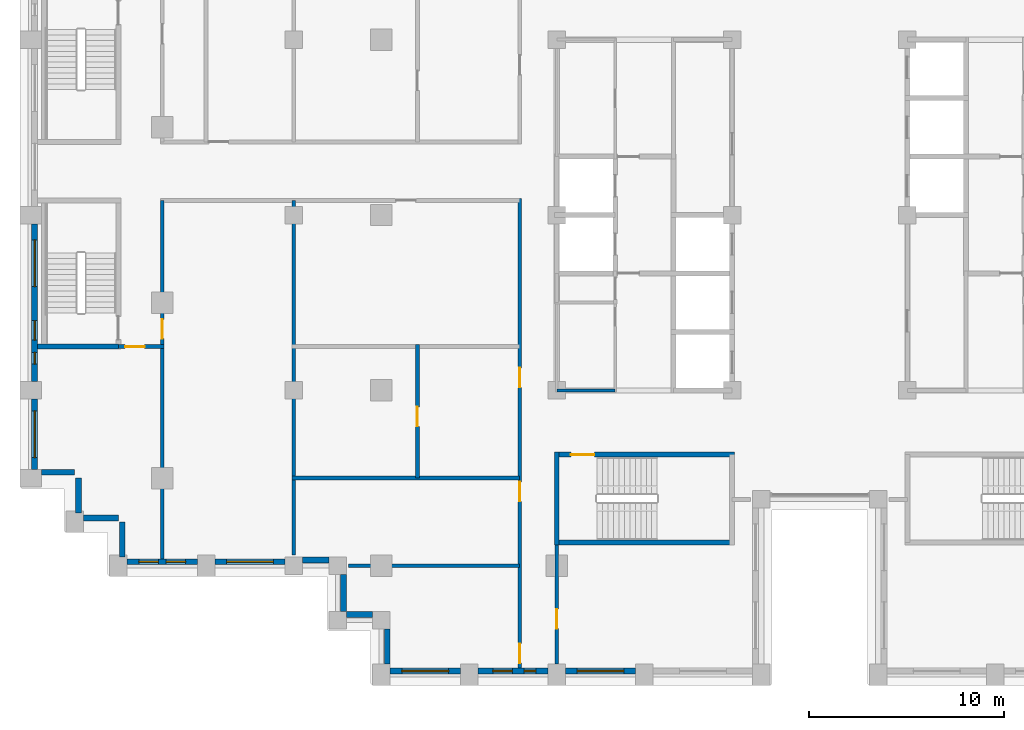
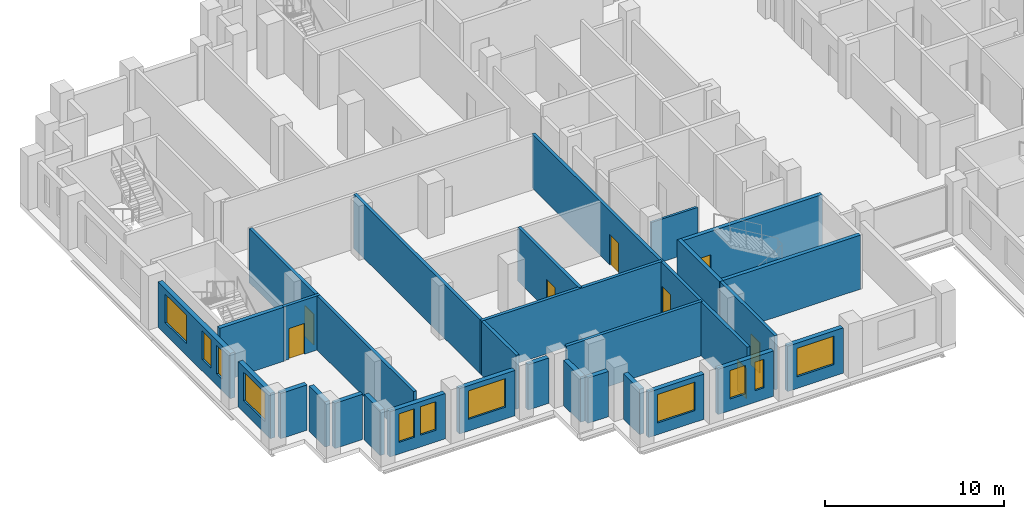
# One storey, part 6 of 15: 28 walls, 11 windows, 8 doors, 19 openings.
"""IFC4 building model written with IfcOpenShell, lengths in metres."""

from ifc_helpers import new_model, si_unit, direction, frame, frame_2d, origin, place, context, subcontext, project, spatial, rectangle, extrude, material, layer, layer_set, type_object, element, fill, save


model = new_model("IFC4")

# Units and contexts
model_context = context("Model", 3, precision=1e-05, world=origin(), true_north=direction((0.0, 1.0)))
body_context = subcontext(model_context, "Body", "Model", "MODEL_VIEW")
ifc_project = project(units=[si_unit("LENGTHUNIT", "METRE"), si_unit("AREAUNIT", "SQUARE_METRE"), si_unit("VOLUMEUNIT", "CUBIC_METRE"), si_unit("PLANEANGLEUNIT", "RADIAN"), si_unit("MASSUNIT", "GRAM", prefix="KILO")], contexts=[model_context])

# Site, building, storey
site_placement = place(None, origin())
site = spatial("IfcSite", under=ifc_project, at=site_placement, CompositionType="ELEMENT")
building_placement = place(site_placement, origin())
building = spatial("IfcBuilding", under=site, at=building_placement, Name="Corbelhall Arena Tower", CompositionType="ELEMENT")
storey_placement = place(building_placement, frame((0.0, 0.0, 162.0)))
storey = spatial("IfcBuildingStorey", under=building, at=storey_placement, Name="L32", CompositionType="ELEMENT", Elevation=162.0)

# Walls
ifc_material_1 = material(Name="Precast concrete C40/50 with granite facing", Category="masonry")
ifc_layer_1 = layer(ifc_material_1, 0.300048828125)
ifc_layer_set_1 = layer_set([ifc_layer_1], Name="EV-IW1 Infill panel 300")
wall_type_1 = type_object("IfcWallType", Name="EV-IW1 Infill panel 300", PredefinedType="SOLIDWALL", material=ifc_layer_set_1)
wall_1_placement = place(storey_placement, frame((-39.949951171875, -13.199951171875, 0.0), z_axis=(0.0, 0.0, 1.0), x_axis=(1.0, 0.0, 0.0)))
element("IfcWall", 1, at=wall_1_placement, inside=storey, type_object=wall_type_1, Name="Infill panel IW1", PredefinedType="SOLIDWALL", context=body_context, shape_type="SweptSolid", body=[
    extrude(rectangle(XDim=1.699951171875, YDim=0.300048828125, at=frame_2d((0.85009765625, 0.0))), origin(), (0.0, 0.0, 1.0), 3.10009765625),
])
for number, where, z_axis, x_axis, name in (
    (2, (-38.050048828125, -15.300048828125, 0.0), (0.0, 0.0, 1.0), (0.0, 1.0, 0.0), "Infill panel IW1"),
    (3, (-37.800048828125, -15.550048828125, 0.0), (0.0, 0.0, 1.0), (1.0, 0.0, 0.0), "Infill panel IW1"),
    (4, (-35.800048828125, -17.550048828125, 0.0), (0.0, 0.0, 1.0), (0.0, 1.0, 0.0), "Infill panel IW1"),
):
    element("IfcWall", number, at=place(storey_placement, frame(where, z_axis=z_axis, x_axis=x_axis)), inside=storey, type_object=wall_type_1, Name=name, PredefinedType="SOLIDWALL", context=body_context, shape_type="SweptSolid", body=[
        extrude(rectangle(XDim=1.800048828125, YDim=0.300048828125, at=frame_2d((0.89990234375, 0.0))), origin(), (0.0, 0.0, 1.0), 3.10009765625),
    ])

# Wall, openings, windows
wall_2_placement = place(storey_placement, frame((-40.300048828125, -0.449951171875, 0.0), z_axis=(0.0, 0.0, 1.0), x_axis=(0.0, -1.0, 0.0)))
wall_2 = element("IfcWall", 5, at=wall_2_placement, inside=storey, type_object=wall_type_1, Name="Infill panel IW1", PredefinedType="SOLIDWALL", context=body_context, shape_type="SweptSolid", body=[
    extrude(rectangle(XDim=8.10009765625, YDim=0.300048828125, at=frame_2d((4.050048828125, 0.0))), origin(), (0.0, 0.0, 1.0), 3.10009765625),
])
opening_1_placement = place(wall_2_placement, frame((0.824951171875, 0.0, 0.800048828125)))
opening_1 = element("IfcOpeningElement", 6, at=opening_1_placement, cuts=wall_2, Name="Opening WN1", PredefinedType="OPENING", context=body_context, shape_type="SweptSolid", body=[
    extrude(rectangle(XDim=2.39990234375, YDim=1.949951171875, at=frame_2d((1.199951171875, 0.97509765625))), frame((0.0, 0.14990234375, 0.0), z_axis=(0.0, -1.0, 0.0), x_axis=(1.0, 0.0, 0.0)), (0.0, 0.0, 1.0), 0.300048828125),
])
opening_2_placement = place(wall_2_placement, frame((4.97509765625, 0.0, 0.800048828125)))
opening_2 = element("IfcOpeningElement", 7, at=opening_2_placement, cuts=wall_2, Name="Opening WN6", PredefinedType="OPENING", context=body_context, shape_type="SweptSolid", body=[
    extrude(rectangle(XDim=1.0, YDim=1.949951171875, at=frame_2d((0.5, 0.97509765625))), frame((0.0, 0.14990234375, 0.0), z_axis=(0.0, -1.0, 0.0), x_axis=(1.0, 0.0, 0.0)), (0.0, 0.0, 1.0), 0.300048828125),
])
opening_3_placement = place(wall_2_placement, frame((6.60009765625, 0.0, 0.800048828125)))
opening_3 = element("IfcOpeningElement", 8, at=opening_3_placement, cuts=wall_2, Name="Opening WN5", PredefinedType="OPENING", context=body_context, shape_type="SweptSolid", body=[
    extrude(rectangle(XDim=0.60009765625, YDim=1.949951171875, at=frame_2d((0.300048828125, 0.97509765625))), frame((0.0, 0.14990234375, 0.0), z_axis=(0.0, -1.0, 0.0), x_axis=(1.0, 0.0, 0.0)), (0.0, 0.0, 1.0), 0.300048828125),
])
ifc_material_2 = material(Name="Aluminium black anodised", Category="aluminium")
window_type_1 = type_object("IfcWindowType", Name="EV-WN1 Office window", PartitioningType="SINGLE_PANEL", PredefinedType="WINDOW", material=ifc_material_2)
window_1_placement = place(opening_1_placement, origin())
window_1 = element("IfcWindow", 9, at=window_1_placement, inside=storey, type_object=window_type_1, Name="Window WN1", OverallHeight=1.949951171875, OverallWidth=2.39990234375, PartitioningType="SINGLE_PANEL", PredefinedType="WINDOW", context=body_context, shape_type="SweptSolid", body=[
    extrude(rectangle(XDim=2.39990234375, YDim=1.949951171875, at=frame_2d((1.199951171875, 0.97509765625))), frame((0.0, 0.030029296875, 0.0), z_axis=(0.0, -1.0, 0.0), x_axis=(1.0, 0.0, 0.0)), (0.0, 0.0, 1.0), 0.06005859375),
])
fill(opening_1, window_1)
window_type_2 = type_object("IfcWindowType", Name="EV-WN5 Office window 600", PartitioningType="SINGLE_PANEL", PredefinedType="WINDOW", material=ifc_material_2)
window_2_placement = place(opening_3_placement, origin())
window_2 = element("IfcWindow", 10, at=window_2_placement, inside=storey, type_object=window_type_2, Name="Window WN5", OverallHeight=1.949951171875, OverallWidth=0.60009765625, PartitioningType="SINGLE_PANEL", PredefinedType="WINDOW", context=body_context, shape_type="SweptSolid", body=[
    extrude(rectangle(XDim=0.60009765625, YDim=1.949951171875, at=frame_2d((0.300048828125, 0.97509765625))), frame((0.0, 0.030029296875, 0.0), z_axis=(0.0, -1.0, 0.0), x_axis=(1.0, 0.0, 0.0)), (0.0, 0.0, 1.0), 0.06005859375),
])
fill(opening_3, window_2)
window_type_3 = type_object("IfcWindowType", Name="EV-WN6 Office window 1000", PartitioningType="SINGLE_PANEL", PredefinedType="WINDOW", material=ifc_material_2)
window_3_placement = place(opening_2_placement, origin())
window_3 = element("IfcWindow", 11, at=window_3_placement, inside=storey, type_object=window_type_3, Name="Window WN6", OverallHeight=1.949951171875, OverallWidth=1.0, PartitioningType="SINGLE_PANEL", PredefinedType="WINDOW", context=body_context, shape_type="SweptSolid", body=[
    extrude(rectangle(XDim=1.0, YDim=1.949951171875, at=frame_2d((0.5, 0.97509765625))), frame((0.0, 0.030029296875, 0.0), z_axis=(0.0, -1.0, 0.0), x_axis=(1.0, 0.0, 0.0)), (0.0, 0.0, 1.0), 0.06005859375),
])
fill(opening_2, window_3)

# Wall, opening, window
wall_3_placement = place(storey_placement, frame((-40.300048828125, -9.449951171875, 0.0), z_axis=(0.0, 0.0, 1.0), x_axis=(0.0, -1.0, 0.0)))
wall_3 = element("IfcWall", 12, at=wall_3_placement, inside=storey, type_object=wall_type_1, Name="Infill panel IW1", PredefinedType="SOLIDWALL", context=body_context, shape_type="SweptSolid", body=[
    extrude(rectangle(XDim=3.60009765625, YDim=0.300048828125, at=frame_2d((1.800048828125, 0.0))), origin(), (0.0, 0.0, 1.0), 3.10009765625),
])
opening_4_placement = place(wall_3_placement, frame((0.60009765625, 0.0, 0.800048828125)))
opening_4 = element("IfcOpeningElement", 13, at=opening_4_placement, cuts=wall_3, Name="Opening WN1", PredefinedType="OPENING", context=body_context, shape_type="SweptSolid", body=[
    extrude(rectangle(XDim=2.39990234375, YDim=1.949951171875, at=frame_2d((1.199951171875, 0.97509765625))), frame((0.0, 0.14990234375, 0.0), z_axis=(0.0, -1.0, 0.0), x_axis=(1.0, 0.0, 0.0)), (0.0, 0.0, 1.0), 0.300048828125),
])
window_4_placement = place(opening_4_placement, origin())
window_4 = element("IfcWindow", 14, at=window_4_placement, inside=storey, type_object=window_type_1, Name="Window WN1", OverallHeight=1.949951171875, OverallWidth=2.39990234375, PartitioningType="SINGLE_PANEL", PredefinedType="WINDOW", context=body_context, shape_type="SweptSolid", body=[
    extrude(rectangle(XDim=2.39990234375, YDim=1.949951171875, at=frame_2d((1.199951171875, 0.97509765625))), frame((0.0, 0.030029296875, 0.0), z_axis=(0.0, -1.0, 0.0), x_axis=(1.0, 0.0, 0.0)), (0.0, 0.0, 1.0), 0.06005859375),
])
fill(opening_4, window_4)

# Wall, openings, windows
wall_4_placement = place(storey_placement, frame((-35.550048828125, -17.800048828125, 0.0), z_axis=(0.0, 0.0, 1.0), x_axis=(1.0, 0.0, 0.0)))
wall_4 = element("IfcWall", 15, at=wall_4_placement, inside=storey, type_object=wall_type_1, Name="Infill panel IW1", PredefinedType="SOLIDWALL", context=body_context, shape_type="SweptSolid", body=[
    extrude(rectangle(XDim=3.60009765625, YDim=0.300048828125, at=frame_2d((1.800048828125, 0.0))), origin(), (0.0, 0.0, 1.0), 3.10009765625),
])
opening_5_placement = place(wall_4_placement, frame((0.60009765625, 0.0, 0.800048828125)))
opening_5 = element("IfcOpeningElement", 16, at=opening_5_placement, cuts=wall_4, Name="Opening WN6", PredefinedType="OPENING", context=body_context, shape_type="SweptSolid", body=[
    extrude(rectangle(XDim=1.0, YDim=1.949951171875, at=frame_2d((0.5, 0.97509765625))), frame((0.0, 0.14990234375, 0.0), z_axis=(0.0, -1.0, 0.0), x_axis=(1.0, 0.0, 0.0)), (0.0, 0.0, 1.0), 0.300048828125),
])
opening_6_placement = place(wall_4_placement, frame((2.0, 0.0, 0.800048828125)))
opening_6 = element("IfcOpeningElement", 17, at=opening_6_placement, cuts=wall_4, Name="Opening WN6", PredefinedType="OPENING", context=body_context, shape_type="SweptSolid", body=[
    extrude(rectangle(XDim=1.0, YDim=1.949951171875, at=frame_2d((0.5, 0.97509765625))), frame((0.0, 0.14990234375, 0.0), z_axis=(0.0, -1.0, 0.0), x_axis=(1.0, 0.0, 0.0)), (0.0, 0.0, 1.0), 0.300048828125),
])
window_5_placement = place(opening_5_placement, origin())
window_5 = element("IfcWindow", 18, at=window_5_placement, inside=storey, type_object=window_type_3, Name="Window WN6", OverallHeight=1.949951171875, OverallWidth=1.0, PartitioningType="SINGLE_PANEL", PredefinedType="WINDOW", context=body_context, shape_type="SweptSolid", body=[
    extrude(rectangle(XDim=1.0, YDim=1.949951171875, at=frame_2d((0.5, 0.97509765625))), frame((0.0, 0.030029296875, 0.0), z_axis=(0.0, -1.0, 0.0), x_axis=(1.0, 0.0, 0.0)), (0.0, 0.0, 1.0), 0.06005859375),
])
fill(opening_5, window_5)
window_6_placement = place(opening_6_placement, origin())
window_6 = element("IfcWindow", 19, at=window_6_placement, inside=storey, type_object=window_type_3, Name="Window WN6", OverallHeight=1.949951171875, OverallWidth=1.0, PartitioningType="SINGLE_PANEL", PredefinedType="WINDOW", context=body_context, shape_type="SweptSolid", body=[
    extrude(rectangle(XDim=1.0, YDim=1.949951171875, at=frame_2d((0.5, 0.97509765625))), frame((0.0, 0.030029296875, 0.0), z_axis=(0.0, -1.0, 0.0), x_axis=(1.0, 0.0, 0.0)), (0.0, 0.0, 1.0), 0.06005859375),
])
fill(opening_6, window_6)

# Wall, opening, window
wall_5_placement = place(storey_placement, frame((-31.050048828125, -17.800048828125, 0.0), z_axis=(0.0, 0.0, 1.0), x_axis=(1.0, 0.0, 0.0)))
wall_5 = element("IfcWall", 20, at=wall_5_placement, inside=storey, type_object=wall_type_1, Name="Infill panel IW1", PredefinedType="SOLIDWALL", context=body_context, shape_type="SweptSolid", body=[
    extrude(rectangle(XDim=3.60009765625, YDim=0.300048828125, at=frame_2d((1.800048828125, 0.0))), origin(), (0.0, 0.0, 1.0), 3.10009765625),
])
opening_7_placement = place(wall_5_placement, frame((0.60009765625, 0.0, 0.800048828125)))
opening_7 = element("IfcOpeningElement", 21, at=opening_7_placement, cuts=wall_5, Name="Opening WN1", PredefinedType="OPENING", context=body_context, shape_type="SweptSolid", body=[
    extrude(rectangle(XDim=2.39990234375, YDim=1.949951171875, at=frame_2d((1.199951171875, 0.97509765625))), frame((0.0, 0.14990234375, 0.0), z_axis=(0.0, -1.0, 0.0), x_axis=(1.0, 0.0, 0.0)), (0.0, 0.0, 1.0), 0.300048828125),
])
window_7_placement = place(opening_7_placement, origin())
window_7 = element("IfcWindow", 22, at=window_7_placement, inside=storey, type_object=window_type_1, Name="Window WN1", OverallHeight=1.949951171875, OverallWidth=2.39990234375, PartitioningType="SINGLE_PANEL", PredefinedType="WINDOW", context=body_context, shape_type="SweptSolid", body=[
    extrude(rectangle(XDim=2.39990234375, YDim=1.949951171875, at=frame_2d((1.199951171875, 0.97509765625))), frame((0.0, 0.030029296875, 0.0), z_axis=(0.0, -1.0, 0.0), x_axis=(1.0, 0.0, 0.0)), (0.0, 0.0, 1.0), 0.06005859375),
])
fill(opening_7, window_7)

# Walls
wall_6_placement = place(storey_placement, frame((-26.550048828125, -17.699951171875, 0.0), z_axis=(0.0, 0.0, 1.0), x_axis=(1.0, 0.0, 0.0)))
element("IfcWall", 23, at=wall_6_placement, inside=storey, type_object=wall_type_1, Name="Infill panel IW1", PredefinedType="SOLIDWALL", context=body_context, shape_type="SweptSolid", body=[
    extrude(rectangle(XDim=1.35009765625, YDim=0.300048828125, at=frame_2d((0.675048828125, 0.0))), origin(), (0.0, 0.0, 1.0), 3.10009765625),
])
wall_7_placement = place(storey_placement, frame((-24.449951171875, -18.449951171875, 0.0), z_axis=(0.0, 0.0, 1.0), x_axis=(0.0, -1.0, 0.0)))
element("IfcWall", 24, at=wall_7_placement, inside=storey, type_object=wall_type_1, Name="Infill panel IW1", PredefinedType="SOLIDWALL", context=body_context, shape_type="SweptSolid", body=[
    extrude(rectangle(XDim=1.900146484375, YDim=0.300048828125, at=frame_2d((0.9501953125, 0.0))), origin(), (0.0, 0.0, 1.0), 3.10009765625),
])
wall_8_placement = place(storey_placement, frame((-24.300048828125, -20.5, 0.0), z_axis=(0.0, 0.0, 1.0), x_axis=(1.0, 0.0, 0.0)))
element("IfcWall", 25, at=wall_8_placement, inside=storey, type_object=wall_type_1, Name="Infill panel IW1", PredefinedType="SOLIDWALL", context=body_context, shape_type="SweptSolid", body=[
    extrude(rectangle(XDim=1.35009765625, YDim=0.300048828125, at=frame_2d((0.675048828125, 0.0))), origin(), (0.0, 0.0, 1.0), 3.10009765625),
])
wall_9_placement = place(storey_placement, frame((-22.199951171875, -21.25, 0.0), z_axis=(0.0, 0.0, 1.0), x_axis=(0.0, -1.0, 0.0)))
element("IfcWall", 26, at=wall_9_placement, inside=storey, type_object=wall_type_1, Name="Infill panel IW1", PredefinedType="SOLIDWALL", context=body_context, shape_type="SweptSolid", body=[
    extrude(rectangle(XDim=1.800048828125, YDim=0.300048828125, at=frame_2d((0.89990234375, 0.0))), origin(), (0.0, 0.0, 1.0), 3.10009765625),
])

# Wall, opening, window
wall_10_placement = place(storey_placement, frame((-22.050048828125, -23.39990234375, 0.0), z_axis=(0.0, 0.0, 1.0), x_axis=(1.0, 0.0, 0.0)))
wall_10 = element("IfcWall", 27, at=wall_10_placement, inside=storey, type_object=wall_type_1, Name="Infill panel IW1", PredefinedType="SOLIDWALL", context=body_context, shape_type="SweptSolid", body=[
    extrude(rectangle(XDim=3.60009765625, YDim=0.300048828125, at=frame_2d((1.800048828125, 0.0))), origin(), (0.0, 0.0, 1.0), 3.10009765625),
])
opening_8_placement = place(wall_10_placement, frame((0.60009765625, 0.0, 0.800048828125)))
opening_8 = element("IfcOpeningElement", 28, at=opening_8_placement, cuts=wall_10, Name="Opening WN1", PredefinedType="OPENING", context=body_context, shape_type="SweptSolid", body=[
    extrude(rectangle(XDim=2.39990234375, YDim=1.949951171875, at=frame_2d((1.199951171875, 0.97509765625))), frame((0.0, 0.14990234375, 0.0), z_axis=(0.0, -1.0, 0.0), x_axis=(1.0, 0.0, 0.0)), (0.0, 0.0, 1.0), 0.300048828125),
])
window_8_placement = place(opening_8_placement, origin())
window_8 = element("IfcWindow", 29, at=window_8_placement, inside=storey, type_object=window_type_1, Name="Window WN1", OverallHeight=1.949951171875, OverallWidth=2.39990234375, PartitioningType="SINGLE_PANEL", PredefinedType="WINDOW", context=body_context, shape_type="SweptSolid", body=[
    extrude(rectangle(XDim=2.39990234375, YDim=1.949951171875, at=frame_2d((1.199951171875, 0.97509765625))), frame((0.0, 0.030029296875, 0.0), z_axis=(0.0, -1.0, 0.0), x_axis=(1.0, 0.0, 0.0)), (0.0, 0.0, 1.0), 0.06005859375),
])
fill(opening_8, window_8)

# Wall, openings, windows
wall_11_placement = place(storey_placement, frame((-17.550048828125, -23.39990234375, 0.0), z_axis=(0.0, 0.0, 1.0), x_axis=(1.0, 0.0, 0.0)))
wall_11 = element("IfcWall", 30, at=wall_11_placement, inside=storey, type_object=wall_type_1, Name="Infill panel IW1", PredefinedType="SOLIDWALL", context=body_context, shape_type="SweptSolid", body=[
    extrude(rectangle(XDim=3.60009765625, YDim=0.300048828125, at=frame_2d((1.800048828125, 0.0))), origin(), (0.0, 0.0, 1.0), 3.10009765625),
])
opening_9_placement = place(wall_11_placement, frame((0.77490234375, 0.0, 0.800048828125)))
opening_9 = element("IfcOpeningElement", 31, at=opening_9_placement, cuts=wall_11, Name="Opening WN6", PredefinedType="OPENING", context=body_context, shape_type="SweptSolid", body=[
    extrude(rectangle(XDim=1.0, YDim=1.949951171875, at=frame_2d((0.5, 0.97509765625))), frame((0.0, 0.14990234375, 0.0), z_axis=(0.0, -1.0, 0.0), x_axis=(1.0, 0.0, 0.0)), (0.0, 0.0, 1.0), 0.300048828125),
])
opening_10_placement = place(wall_11_placement, frame((2.375, 0.0, 0.800048828125)))
opening_10 = element("IfcOpeningElement", 32, at=opening_10_placement, cuts=wall_11, Name="Opening WN5", PredefinedType="OPENING", context=body_context, shape_type="SweptSolid", body=[
    extrude(rectangle(XDim=0.60009765625, YDim=1.949951171875, at=frame_2d((0.300048828125, 0.97509765625))), frame((0.0, 0.14990234375, 0.0), z_axis=(0.0, -1.0, 0.0), x_axis=(1.0, 0.0, 0.0)), (0.0, 0.0, 1.0), 0.300048828125),
])
window_9_placement = place(opening_10_placement, origin())
window_9 = element("IfcWindow", 33, at=window_9_placement, inside=storey, type_object=window_type_2, Name="Window WN5", OverallHeight=1.949951171875, OverallWidth=0.60009765625, PartitioningType="SINGLE_PANEL", PredefinedType="WINDOW", context=body_context, shape_type="SweptSolid", body=[
    extrude(rectangle(XDim=0.60009765625, YDim=1.949951171875, at=frame_2d((0.300048828125, 0.97509765625))), frame((0.0, 0.030029296875, 0.0), z_axis=(0.0, -1.0, 0.0), x_axis=(1.0, 0.0, 0.0)), (0.0, 0.0, 1.0), 0.06005859375),
])
fill(opening_10, window_9)
window_10_placement = place(opening_9_placement, origin())
window_10 = element("IfcWindow", 34, at=window_10_placement, inside=storey, type_object=window_type_3, Name="Window WN6", OverallHeight=1.949951171875, OverallWidth=1.0, PartitioningType="SINGLE_PANEL", PredefinedType="WINDOW", context=body_context, shape_type="SweptSolid", body=[
    extrude(rectangle(XDim=1.0, YDim=1.949951171875, at=frame_2d((0.5, 0.97509765625))), frame((0.0, 0.030029296875, 0.0), z_axis=(0.0, -1.0, 0.0), x_axis=(1.0, 0.0, 0.0)), (0.0, 0.0, 1.0), 0.06005859375),
])
fill(opening_9, window_10)

# Wall, opening, window
wall_12_placement = place(storey_placement, frame((-13.050048828125, -23.39990234375, 0.0), z_axis=(0.0, 0.0, 1.0), x_axis=(1.0, 0.0, 0.0)))
wall_12 = element("IfcWall", 35, at=wall_12_placement, inside=storey, type_object=wall_type_1, Name="Infill panel IW1", PredefinedType="SOLIDWALL", context=body_context, shape_type="SweptSolid", body=[
    extrude(rectangle(XDim=3.60009765625, YDim=0.300048828125, at=frame_2d((1.800048828125, 0.0))), origin(), (0.0, 0.0, 1.0), 3.10009765625),
])
opening_11_placement = place(wall_12_placement, frame((0.60009765625, 0.0, 0.800048828125)))
opening_11 = element("IfcOpeningElement", 36, at=opening_11_placement, cuts=wall_12, Name="Opening WN1", PredefinedType="OPENING", context=body_context, shape_type="SweptSolid", body=[
    extrude(rectangle(XDim=2.39990234375, YDim=1.949951171875, at=frame_2d((1.199951171875, 0.97509765625))), frame((0.0, 0.14990234375, 0.0), z_axis=(0.0, -1.0, 0.0), x_axis=(1.0, 0.0, 0.0)), (0.0, 0.0, 1.0), 0.300048828125),
])
window_11_placement = place(opening_11_placement, origin())
window_11 = element("IfcWindow", 37, at=window_11_placement, inside=storey, type_object=window_type_1, Name="Window WN1", OverallHeight=1.949951171875, OverallWidth=2.39990234375, PartitioningType="SINGLE_PANEL", PredefinedType="WINDOW", context=body_context, shape_type="SweptSolid", body=[
    extrude(rectangle(XDim=2.39990234375, YDim=1.949951171875, at=frame_2d((1.199951171875, 0.97509765625))), frame((0.0, 0.030029296875, 0.0), z_axis=(0.0, -1.0, 0.0), x_axis=(1.0, 0.0, 0.0)), (0.0, 0.0, 1.0), 0.06005859375),
])
fill(opening_11, window_11)

# Wall, opening, door
ifc_material_3 = material(Name="Gypsum board on steel stud, acoustic", Category="steel")
ifc_layer_2 = layer(ifc_material_3, 0.199951171875)
ifc_layer_set_2 = layer_set([ifc_layer_2], Name="IN-W-DM200")
wall_type_2 = type_object("IfcWallType", Name="IN-W-DM200", PredefinedType="PARTITIONING", material=ifc_layer_set_2)
wall_13_placement = place(storey_placement, frame((-33.75, 0.75, 0.0), z_axis=(0.0, 0.0, 1.0), x_axis=(0.0, -1.0, 0.0)))
wall_13 = element("IfcWall", 38, at=wall_13_placement, inside=storey, type_object=wall_type_2, Name="Partition 003", PredefinedType="PARTITIONING", context=body_context, shape_type="SweptSolid", body=[
    extrude(rectangle(XDim=18.39990234375, YDim=0.199951171875, at=frame_2d((9.199951171875, 0.0))), origin(), (0.0, 0.0, 1.0), 3.699951171875),
])
opening_12_placement = place(wall_13_placement, frame((6.10009765625, 0.0, 0.0)))
opening_12 = element("IfcOpeningElement", 39, at=opening_12_placement, cuts=wall_13, Name="Opening 09042", PredefinedType="OPENING", context=body_context, shape_type="SweptSolid", body=[
    extrude(rectangle(XDim=1.0, YDim=2.10009765625, at=frame_2d((0.5, 1.050048828125))), frame((0.0, 0.10009765625, 0.0), z_axis=(0.0, -1.0, 0.0), x_axis=(1.0, 0.0, 0.0)), (0.0, 0.0, 1.0), 0.199951171875),
])
ifc_material_4 = material(Name="Steel door set", Category="steel")
door_type_1 = type_object("IfcDoorType", Name="IN-D-SW100", OperationType="NOTDEFINED", PredefinedType="DOOR", material=ifc_material_4)
door_1_placement = place(opening_12_placement, origin())
door_1 = element("IfcDoor", 40, at=door_1_placement, inside=storey, type_object=door_type_1, Name="Door 042", OperationType="SINGLE_SWING_LEFT", OverallHeight=2.10009765625, OverallWidth=1.0, PredefinedType="DOOR", context=body_context, shape_type="SweptSolid", body=[
    extrude(rectangle(XDim=1.0, YDim=2.10009765625, at=frame_2d((0.5, 1.050048828125))), frame((0.0, 0.02490234375, 0.0), z_axis=(0.0, -1.0, 0.0), x_axis=(1.0, 0.0, 0.0)), (0.0, 0.0, 1.0), 0.050048828125),
])
fill(opening_12, door_1)

wall_14_placement = place(storey_placement, frame((-33.64990234375, -6.75, 0.0), z_axis=(0.0, 0.0, 1.0), x_axis=(-1.0, 0.0, 0.0)))
wall_14 = element("IfcWall", 41, at=wall_14_placement, inside=storey, type_object=wall_type_2, Name="Partition 005", PredefinedType="PARTITIONING", context=body_context, shape_type="SweptSolid", body=[
    extrude(rectangle(XDim=2.35009765625, YDim=0.199951171875, at=frame_2d((1.175048828125, 0.0))), origin(), (0.0, 0.0, 1.0), 3.699951171875),
])
opening_13_placement = place(wall_14_placement, frame((1.0, 0.0, 0.0)))
opening_13 = element("IfcOpeningElement", 42, at=opening_13_placement, cuts=wall_14, Name="Opening 09041", PredefinedType="OPENING", context=body_context, shape_type="SweptSolid", body=[
    extrude(rectangle(XDim=1.0, YDim=2.10009765625, at=frame_2d((0.5, 1.050048828125))), frame((0.0, 0.10009765625, 0.0), z_axis=(0.0, -1.0, 0.0), x_axis=(1.0, 0.0, 0.0)), (0.0, 0.0, 1.0), 0.199951171875),
])
door_2_placement = place(opening_13_placement, origin())
door_2 = element("IfcDoor", 43, at=door_2_placement, inside=storey, type_object=door_type_1, Name="Door 041", OperationType="SINGLE_SWING_RIGHT", OverallHeight=2.10009765625, OverallWidth=1.0, PredefinedType="DOOR", context=body_context, shape_type="SweptSolid", body=[
    extrude(rectangle(XDim=1.0, YDim=2.10009765625, at=frame_2d((0.5, 1.050048828125))), frame((0.0, 0.02490234375, 0.0), z_axis=(0.0, -1.0, 0.0), x_axis=(1.0, 0.0, 0.0)), (0.0, 0.0, 1.0), 0.050048828125),
])
fill(opening_13, door_2)

# Walls
wall_15_placement = place(storey_placement, frame((-27.10009765625, -13.5, 0.0), z_axis=(0.0, 0.0, 1.0), x_axis=(1.0, 0.0, 0.0)))
element("IfcWall", 44, at=wall_15_placement, inside=storey, type_object=wall_type_2, Name="Partition 007", PredefinedType="PARTITIONING", context=body_context, shape_type="SweptSolid", body=[
    extrude(rectangle(XDim=11.7001953125, YDim=0.199951171875, at=frame_2d((5.85009765625, 0.0))), origin(), (0.0, 0.0, 1.0), 3.699951171875),
])
wall_16_placement = place(storey_placement, frame((-27.0, -17.449951171875, 0.0), z_axis=(0.0, 0.0, 1.0), x_axis=(0.0, 1.0, 0.0)))
element("IfcWall", 45, at=wall_16_placement, inside=storey, type_object=wall_type_2, Name="Partition 009", PredefinedType="PARTITIONING", context=body_context, shape_type="SweptSolid", body=[
    extrude(rectangle(XDim=18.199951171875, YDim=0.199951171875, at=frame_2d((9.10009765625, 0.0))), origin(), (0.0, 0.0, 1.0), 3.699951171875),
])
wall_17_placement = place(storey_placement, frame((-24.199951171875, -18.0, 0.0), z_axis=(0.0, 0.0, 1.0), x_axis=(1.0, 0.0, 0.0)))
element("IfcWall", 46, at=wall_17_placement, inside=storey, type_object=wall_type_2, Name="Partition 012", PredefinedType="PARTITIONING", context=body_context, shape_type="SweptSolid", body=[
    extrude(rectangle(XDim=8.800048828125, YDim=0.199951171875, at=frame_2d((4.39990234375, 0.0))), origin(), (0.0, 0.0, 1.0), 3.699951171875),
])

# Wall, opening, door
wall_18_placement = place(storey_placement, frame((-20.64990234375, -13.5, 0.0), z_axis=(0.0, 0.0, 1.0), x_axis=(0.0, 1.0, 0.0)))
wall_18 = element("IfcWall", 47, at=wall_18_placement, inside=storey, type_object=wall_type_2, Name="Partition 015", PredefinedType="PARTITIONING", context=body_context, shape_type="SweptSolid", body=[
    extrude(rectangle(XDim=6.85009765625, YDim=0.199951171875, at=frame_2d((3.425048828125, 0.0))), origin(), (0.0, 0.0, 1.0), 3.699951171875),
])
opening_14_placement = place(wall_18_placement, frame((2.64990234375, 0.0, 0.0)))
opening_14 = element("IfcOpeningElement", 48, at=opening_14_placement, cuts=wall_18, Name="Opening 09029", PredefinedType="OPENING", context=body_context, shape_type="SweptSolid", body=[
    extrude(rectangle(XDim=1.0, YDim=2.10009765625, at=frame_2d((0.5, 1.050048828125))), frame((0.0, 0.10009765625, 0.0), z_axis=(0.0, -1.0, 0.0), x_axis=(1.0, 0.0, 0.0)), (0.0, 0.0, 1.0), 0.199951171875),
])
door_3_placement = place(opening_14_placement, origin())
door_3 = element("IfcDoor", 49, at=door_3_placement, inside=storey, type_object=door_type_1, Name="Door 029", OperationType="SINGLE_SWING_RIGHT", OverallHeight=2.10009765625, OverallWidth=1.0, PredefinedType="DOOR", context=body_context, shape_type="SweptSolid", body=[
    extrude(rectangle(XDim=1.0, YDim=2.10009765625, at=frame_2d((0.5, 1.050048828125))), frame((0.0, 0.02490234375, 0.0), z_axis=(0.0, -1.0, 0.0), x_axis=(1.0, 0.0, 0.0)), (0.0, 0.0, 1.0), 0.050048828125),
])
fill(opening_14, door_3)

# Wall, openings, doors
wall_19_placement = place(storey_placement, frame((-15.39990234375, -23.25, 0.0), z_axis=(0.0, 0.0, 1.0), x_axis=(0.0, 1.0, 0.0)))
wall_19 = element("IfcWall", 50, at=wall_19_placement, inside=storey, type_object=wall_type_2, Name="Partition 018", PredefinedType="PARTITIONING", context=body_context, shape_type="SweptSolid", body=[
    extrude(rectangle(XDim=24.10009765625, YDim=0.199951171875, at=frame_2d((12.050048828125, 0.0))), origin(), (0.0, 0.0, 1.0), 3.699951171875),
])
opening_15_placement = place(wall_19_placement, frame((0.25, 0.0, 0.0)))
opening_15 = element("IfcOpeningElement", 51, at=opening_15_placement, cuts=wall_19, Name="Opening 09026", PredefinedType="OPENING", context=body_context, shape_type="SweptSolid", body=[
    extrude(rectangle(XDim=1.0, YDim=2.10009765625, at=frame_2d((0.5, 1.050048828125))), frame((0.0, 0.10009765625, 0.0), z_axis=(0.0, -1.0, 0.0), x_axis=(1.0, 0.0, 0.0)), (0.0, 0.0, 1.0), 0.199951171875),
])
opening_16_placement = place(wall_19_placement, frame((8.550048828125, 0.0, 0.0)))
opening_16 = element("IfcOpeningElement", 52, at=opening_16_placement, cuts=wall_19, Name="Opening 09027", PredefinedType="OPENING", context=body_context, shape_type="SweptSolid", body=[
    extrude(rectangle(XDim=1.0, YDim=2.10009765625, at=frame_2d((0.5, 1.050048828125))), frame((0.0, 0.10009765625, 0.0), z_axis=(0.0, -1.0, 0.0), x_axis=(1.0, 0.0, 0.0)), (0.0, 0.0, 1.0), 0.199951171875),
])
opening_17_placement = place(wall_19_placement, frame((14.39990234375, 0.0, 0.0)))
opening_17 = element("IfcOpeningElement", 53, at=opening_17_placement, cuts=wall_19, Name="Opening 09028", PredefinedType="OPENING", context=body_context, shape_type="SweptSolid", body=[
    extrude(rectangle(XDim=1.0, YDim=2.10009765625, at=frame_2d((0.5, 1.050048828125))), frame((0.0, 0.10009765625, 0.0), z_axis=(0.0, -1.0, 0.0), x_axis=(1.0, 0.0, 0.0)), (0.0, 0.0, 1.0), 0.199951171875),
])
door_4_placement = place(opening_15_placement, origin())
door_4 = element("IfcDoor", 54, at=door_4_placement, inside=storey, type_object=door_type_1, Name="Door 026", OperationType="SINGLE_SWING_LEFT", OverallHeight=2.10009765625, OverallWidth=1.0, PredefinedType="DOOR", context=body_context, shape_type="SweptSolid", body=[
    extrude(rectangle(XDim=1.0, YDim=2.10009765625, at=frame_2d((0.5, 1.050048828125))), frame((0.0, 0.02490234375, 0.0), z_axis=(0.0, -1.0, 0.0), x_axis=(1.0, 0.0, 0.0)), (0.0, 0.0, 1.0), 0.050048828125),
])
fill(opening_15, door_4)
door_5_placement = place(opening_16_placement, origin())
door_5 = element("IfcDoor", 55, at=door_5_placement, inside=storey, type_object=door_type_1, Name="Door 027", OperationType="SINGLE_SWING_RIGHT", OverallHeight=2.10009765625, OverallWidth=1.0, PredefinedType="DOOR", context=body_context, shape_type="SweptSolid", body=[
    extrude(rectangle(XDim=1.0, YDim=2.10009765625, at=frame_2d((0.5, 1.050048828125))), frame((0.0, 0.02490234375, 0.0), z_axis=(0.0, -1.0, 0.0), x_axis=(1.0, 0.0, 0.0)), (0.0, 0.0, 1.0), 0.050048828125),
])
fill(opening_16, door_5)
door_6_placement = place(opening_17_placement, origin())
door_6 = element("IfcDoor", 56, at=door_6_placement, inside=storey, type_object=door_type_1, Name="Door 028", OperationType="SINGLE_SWING_LEFT", OverallHeight=2.10009765625, OverallWidth=1.0, PredefinedType="DOOR", context=body_context, shape_type="SweptSolid", body=[
    extrude(rectangle(XDim=1.0, YDim=2.10009765625, at=frame_2d((0.5, 1.050048828125))), frame((0.0, 0.02490234375, 0.0), z_axis=(0.0, -1.0, 0.0), x_axis=(1.0, 0.0, 0.0)), (0.0, 0.0, 1.0), 0.050048828125),
])
fill(opening_17, door_6)

# Wall, opening, door
wall_20_placement = place(storey_placement, frame((-13.5, -16.675048828125, 0.0), z_axis=(0.0, 0.0, 1.0), x_axis=(0.0, -1.0, 0.0)))
wall_20 = element("IfcWall", 57, at=wall_20_placement, inside=storey, type_object=wall_type_2, Name="Partition 022", PredefinedType="PARTITIONING", context=body_context, shape_type="SweptSolid", body=[
    extrude(rectangle(XDim=6.375, YDim=0.199951171875, at=frame_2d((3.1875, 0.0))), origin(), (0.0, 0.0, 1.0), 3.699951171875),
])
opening_18_placement = place(wall_20_placement, frame((3.550048828125, 0.0, 0.0)))
opening_18 = element("IfcOpeningElement", 58, at=opening_18_placement, cuts=wall_20, Name="Opening 09022", PredefinedType="OPENING", context=body_context, shape_type="SweptSolid", body=[
    extrude(rectangle(XDim=1.0, YDim=2.10009765625, at=frame_2d((0.5, 1.050048828125))), frame((0.0, 0.10009765625, 0.0), z_axis=(0.0, -1.0, 0.0), x_axis=(1.0, 0.0, 0.0)), (0.0, 0.0, 1.0), 0.199951171875),
])
door_7_placement = place(opening_18_placement, origin())
door_7 = element("IfcDoor", 59, at=door_7_placement, inside=storey, type_object=door_type_1, Name="Door 022", OperationType="SINGLE_SWING_LEFT", OverallHeight=2.10009765625, OverallWidth=1.0, PredefinedType="DOOR", context=body_context, shape_type="SweptSolid", body=[
    extrude(rectangle(XDim=1.0, YDim=2.10009765625, at=frame_2d((0.5, 1.050048828125))), frame((0.0, 0.02490234375, 0.0), z_axis=(0.0, -1.0, 0.0), x_axis=(1.0, 0.0, 0.0)), (0.0, 0.0, 1.0), 0.050048828125),
])
fill(opening_18, door_7)

# Walls
ifc_material_5 = material(Name="Concrete C40/50", Category="concrete")
ifc_layer_3 = layer(ifc_material_5, 0.25)
ifc_layer_set_3 = layer_set([ifc_layer_3], Name="IN-W-ST250")
wall_type_3 = type_object("IfcWallType", Name="IN-W-ST250", PredefinedType="SOLIDWALL", material=ifc_layer_set_3)
wall_21_placement = place(storey_placement, frame((-36.0, -6.75, 0.0), z_axis=(0.0, 0.0, 1.0), x_axis=(-1.0, 0.0, 0.0)))
element("IfcWall", 60, at=wall_21_placement, inside=storey, type_object=wall_type_3, Name="Shaft wall 080", PredefinedType="SOLIDWALL", context=body_context, shape_type="SweptSolid", body=[
    extrude(rectangle(XDim=4.14990234375, YDim=0.25, at=frame_2d((2.074951171875, 0.0))), origin(), (0.0, 0.0, 1.0), 3.699951171875),
])
wall_22_placement = place(storey_placement, frame((-13.5, -12.175048828125, 0.0), z_axis=(0.0, 0.0, 1.0), x_axis=(0.0, -1.0, 0.0)))
element("IfcWall", 61, at=wall_22_placement, inside=storey, type_object=wall_type_3, Name="Shaft wall 084", PredefinedType="SOLIDWALL", context=body_context, shape_type="SweptSolid", body=[
    extrude(rectangle(XDim=4.75, YDim=0.25, at=frame_2d((2.375, 0.0))), origin(), (0.0, 0.0, 1.0), 3.699951171875),
])
wall_23_placement = place(storey_placement, frame((-4.5, -16.800048828125, 0.0), z_axis=(0.0, 0.0, 1.0), x_axis=(-1.0, 0.0, 0.0)))
element("IfcWall", 62, at=wall_23_placement, inside=storey, type_object=wall_type_3, Name="Shaft wall 088", PredefinedType="SOLIDWALL", context=body_context, shape_type="SweptSolid", body=[
    extrude(rectangle(XDim=9.0, YDim=0.25, at=frame_2d((4.5, 0.0))), origin(), (0.0, 0.0, 1.0), 3.699951171875),
])

# Wall, opening, door
wall_24_placement = place(storey_placement, frame((-4.375, -12.300048828125, 0.0), z_axis=(0.0, 0.0, 1.0), x_axis=(-1.0, 0.0, 0.0)))
wall_24 = element("IfcWall", 63, at=wall_24_placement, inside=storey, type_object=wall_type_3, Name="Shaft wall 091", PredefinedType="SOLIDWALL", context=body_context, shape_type="SweptSolid", body=[
    extrude(rectangle(XDim=9.125, YDim=0.25, at=frame_2d((4.5625, 0.0))), origin(), (0.0, 0.0, 1.0), 3.699951171875),
])
opening_19_placement = place(wall_24_placement, frame((7.199951171875, 0.0, 0.0)))
opening_19 = element("IfcOpeningElement", 64, at=opening_19_placement, cuts=wall_24, Name="Opening 09013", PredefinedType="OPENING", context=body_context, shape_type="SweptSolid", body=[
    extrude(rectangle(XDim=1.199951171875, YDim=2.10009765625, at=frame_2d((0.60009765625, 1.050048828125))), frame((0.0, 0.125, 0.0), z_axis=(0.0, -1.0, 0.0), x_axis=(1.0, 0.0, 0.0)), (0.0, 0.0, 1.0), 0.25),
])
door_type_2 = type_object("IfcDoorType", Name="IN-D-ST120", OperationType="NOTDEFINED", PredefinedType="DOOR", material=ifc_material_4)
door_8_placement = place(opening_19_placement, origin())
door_8 = element("IfcDoor", 65, at=door_8_placement, inside=storey, type_object=door_type_2, Name="Door 013", OperationType="SINGLE_SWING_RIGHT", OverallHeight=2.10009765625, OverallWidth=1.199951171875, PredefinedType="DOOR", context=body_context, shape_type="SweptSolid", body=[
    extrude(rectangle(XDim=1.199951171875, YDim=2.10009765625, at=frame_2d((0.60009765625, 1.050048828125))), frame((0.0, 0.02490234375, 0.0), z_axis=(0.0, -1.0, 0.0), x_axis=(1.0, 0.0, 0.0)), (0.0, 0.0, 1.0), 0.050048828125),
])
fill(opening_19, door_8)

# Wall
ifc_material_6 = material(Name="Gypsum board on steel stud, moisture resistant", Category="steel")
ifc_layer_4 = layer(ifc_material_6, 0.14990234375)
ifc_layer_set_4 = layer_set([ifc_layer_4], Name="IN-W-WC150 under beam 762 mm")
wall_type_4 = type_object("IfcWallType", Name="IN-W-WC150 under beam 762 mm", PredefinedType="PARTITIONING", material=ifc_layer_set_4)
wall_25_placement = place(storey_placement, frame((-10.5, -9.0, 0.0), z_axis=(0.0, 0.0, 1.0), x_axis=(-1.0, 0.0, 0.0)))
element("IfcWall", 66, at=wall_25_placement, inside=storey, type_object=wall_type_4, Name="Partition 111", PredefinedType="PARTITIONING", context=body_context, shape_type="SweptSolid", body=[
    extrude(rectangle(XDim=3.0, YDim=0.14990234375, at=frame_2d((1.5, 0.0))), origin(), (0.0, 0.0, 1.0), 2.93798828125),
])

save(model, "model.ifc")
